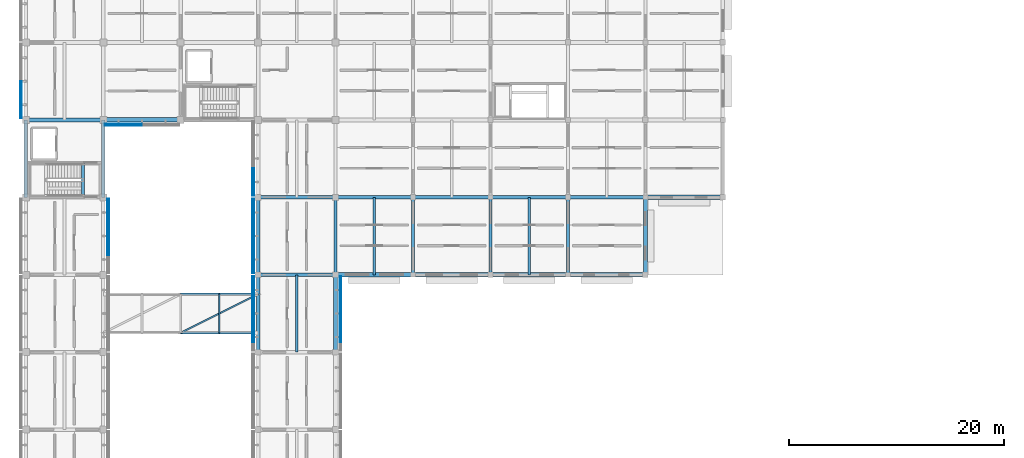
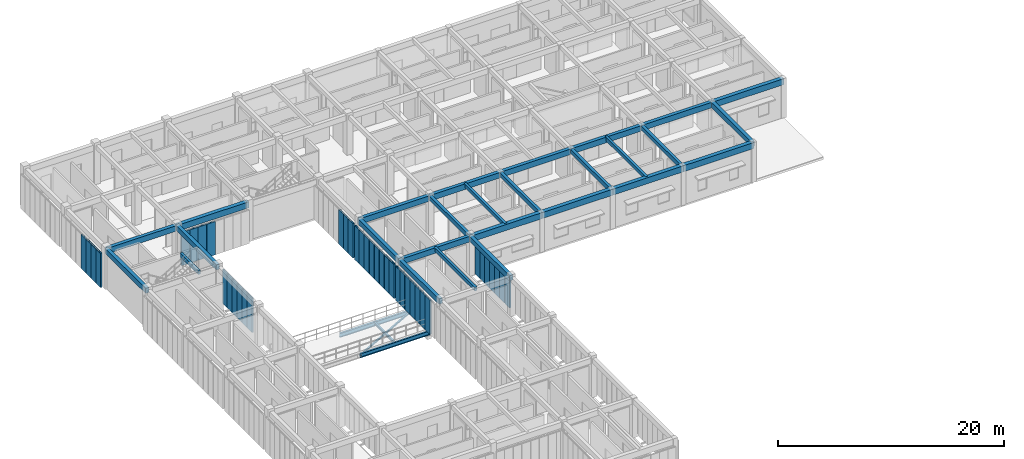
# One storey, part 9 of 91: 40 members, 30 beams, 7 elements without a shape of their own.
"""IFC4 building model written with IfcOpenShell, lengths in metres."""

from ifc_helpers import new_model, si_unit, direction, frame, origin, origin_2d, place, context, subcontext, project, spatial, rectangle, hollow_rectangle, i_section, extrude, material, material_profile, profile_set, type_object, element, aggregate, save


model = new_model("IFC4")

# Units and contexts
model_context = context("Model", 3, precision=1e-05, world=origin(), true_north=direction((0.0, 1.0)))
body_context = subcontext(model_context, "Body", "Model", "MODEL_VIEW")
ifc_project = project(units=[si_unit("LENGTHUNIT", "METRE"), si_unit("AREAUNIT", "SQUARE_METRE"), si_unit("VOLUMEUNIT", "CUBIC_METRE"), si_unit("PLANEANGLEUNIT", "RADIAN"), si_unit("MASSUNIT", "GRAM", prefix="KILO")], contexts=[model_context])

# Site, building, storey
site_placement = place(None, origin())
site = spatial("IfcSite", under=ifc_project, at=site_placement, CompositionType="ELEMENT")
building_placement = place(site_placement, origin())
building = spatial("IfcBuilding", under=site, at=building_placement, Name="Aldebral Square Health Centre", CompositionType="ELEMENT")
storey_placement = place(building_placement, frame((0.0, 0.0, 9.0)))
storey = spatial("IfcBuildingStorey", under=building, at=storey_placement, Name="L02", CompositionType="ELEMENT", Elevation=9.0)

# Beams
ifc_material_1 = material(Name="Concrete C40/50", Category="concrete")
ifc_material_profile_1 = material_profile(ifc_material_1, rectangle(XDim=0.39990234375, YDim=0.64990234375, at=origin_2d()), Name="RC 400x650")
ifc_profile_set_1 = profile_set([ifc_material_profile_1], Name="Concrete C40/50")
beam_type_1 = type_object("IfcBeamType", Name="BM-B1", PredefinedType="BEAM", material=ifc_profile_set_1)
for number, where, z_axis, x_axis, name in (
    (1, (7.199951171875, 100.800048828125, 3.9150390625), (1.0, 0.0, 0.0), (0.0, 1.0, 0.0), "L02 X-beam 2-3/G15"),
    (2, (28.800048828125, 86.39990234375, 3.9150390625), (1.0, 0.0, 0.0), (0.0, 1.0, 0.0), "L02 X-beam 5-6/G13"),
    (3, (36.0, 86.39990234375, 3.9150390625), (1.0, 0.0, 0.0), (0.0, 1.0, 0.0), "L02 X-beam 6-7/G13"),
    (4, (43.199951171875, 86.39990234375, 3.9150390625), (1.0, 0.0, 0.0), (0.0, 1.0, 0.0), "L02 X-beam 7-8/G13"),
):
    element("IfcBeam", number, at=place(storey_placement, frame(where, z_axis=z_axis, x_axis=x_axis)), inside=storey, type_object=beam_type_1, Name=name, PredefinedType="BEAM", context=body_context, shape_type="SweptSolid", body=[
        extrude(rectangle(XDim=0.39990234375, YDim=0.64990234375, at=origin_2d()), origin(), (0.0, 0.0, 1.0), 7.199951171875),
    ])
beam_1_placement = place(storey_placement, frame((50.39990234375, 86.39990234375, 3.9150390625), z_axis=(1.0, 0.0, 0.0), x_axis=(0.0, 1.0, 0.0)))
element("IfcBeam", 5, at=beam_1_placement, inside=storey, type_object=beam_type_1, Name="L02 X-beam 8-9/G13", PredefinedType="BEAM", context=body_context, shape_type="SweptSolid", body=[
    extrude(rectangle(XDim=0.39990234375, YDim=0.64990234375, at=origin_2d()), origin(), (0.0, 0.0, 1.0), 7.2001953125),
])
beam_2_placement = place(storey_placement, frame((57.60009765625, 93.60009765625, 3.9150390625), z_axis=(1.0, 0.0, 0.0), x_axis=(0.0, 1.0, 0.0)))
element("IfcBeam", 6, at=beam_2_placement, inside=storey, type_object=beam_type_1, Name="L02 X-beam 9-10/G14", PredefinedType="BEAM", context=body_context, shape_type="SweptSolid", body=[
    extrude(rectangle(XDim=0.39990234375, YDim=0.64990234375, at=origin_2d()), origin(), (0.0, 0.0, 1.0), 7.199951171875),
])
ifc_material_profile_2 = material_profile(ifc_material_1, rectangle(XDim=0.35009765625, YDim=0.60009765625, at=origin_2d()), Name="RC 350x600")
ifc_profile_set_2 = profile_set([ifc_material_profile_2], Name="Concrete C40/50")
beam_type_2 = type_object("IfcBeamType", Name="BM-B2", PredefinedType="BEAM", material=ifc_profile_set_2)
for number, where, z_axis, x_axis, name in (
    (7, (0.0, 100.800048828125, 3.93994140625), (1.0, 0.0, 0.0), (0.0, 1.0, 0.0), "L02 X-beam 1-2/G15"),
    (8, (21.60009765625, 86.39990234375, 3.93994140625), (1.0, 0.0, 0.0), (0.0, 1.0, 0.0), "L02 X-beam 4-5/G13"),
    (9, (21.60009765625, 93.60009765625, 3.93994140625), (1.0, 0.0, 0.0), (0.0, 1.0, 0.0), "L02 X-beam 4-5/G14"),
    (10, (28.800048828125, 93.60009765625, 3.93994140625), (1.0, 0.0, 0.0), (0.0, 1.0, 0.0), "L02 X-beam 5-6/G14"),
    (11, (36.0, 93.60009765625, 3.93994140625), (1.0, 0.0, 0.0), (0.0, 1.0, 0.0), "L02 X-beam 6-7/G14"),
    (12, (43.199951171875, 93.60009765625, 3.93994140625), (1.0, 0.0, 0.0), (0.0, 1.0, 0.0), "L02 X-beam 7-8/G14"),
):
    element("IfcBeam", number, at=place(storey_placement, frame(where, z_axis=z_axis, x_axis=x_axis)), inside=storey, type_object=beam_type_2, Name=name, PredefinedType="BEAM", context=body_context, shape_type="SweptSolid", body=[
        extrude(rectangle(XDim=0.35009765625, YDim=0.60009765625, at=origin_2d()), origin(), (0.0, 0.0, 1.0), 7.199951171875),
    ])
beam_3_placement = place(storey_placement, frame((50.39990234375, 93.60009765625, 3.93994140625), z_axis=(1.0, 0.0, 0.0), x_axis=(0.0, 1.0, 0.0)))
element("IfcBeam", 13, at=beam_3_placement, inside=storey, type_object=beam_type_2, Name="L02 X-beam 8-9/G14", PredefinedType="BEAM", context=body_context, shape_type="SweptSolid", body=[
    extrude(rectangle(XDim=0.35009765625, YDim=0.60009765625, at=origin_2d()), origin(), (0.0, 0.0, 1.0), 7.2001953125),
])
ifc_material_profile_3 = material_profile(ifc_material_1, rectangle(XDim=0.35009765625, YDim=0.550048828125, at=origin_2d()), Name="RC 350x550")
ifc_profile_set_3 = profile_set([ifc_material_profile_3], Name="Concrete C40/50")
beam_type_3 = type_object("IfcBeamType", Name="BM-B3", PredefinedType="BEAM", material=ifc_profile_set_3)
for number, where, z_axis, x_axis, name in (
    (14, (0.0, 93.60009765625, 3.965087890625), (0.0, 1.0, 0.0), (-1.0, 0.0, 0.0), "L02 Y-beam G1/14-15"),
    (15, (7.199951171875, 93.60009765625, 3.965087890625), (0.0, 1.0, 0.0), (-1.0, 0.0, 0.0), "L02 Y-beam G2/14-15"),
    (16, (21.60009765625, 79.199951171875, 3.965087890625), (0.0, 1.0, 0.0), (-1.0, 0.0, 0.0), "L02 Y-beam G4/12-13"),
):
    element("IfcBeam", number, at=place(storey_placement, frame(where, z_axis=z_axis, x_axis=x_axis)), inside=storey, type_object=beam_type_3, Name=name, PredefinedType="BEAM", context=body_context, shape_type="SweptSolid", body=[
        extrude(rectangle(XDim=0.35009765625, YDim=0.550048828125, at=origin_2d()), origin(), (0.0, 0.0, 1.0), 7.199951171875),
    ])
beam_4_placement = place(storey_placement, frame((21.60009765625, 86.39990234375, 3.965087890625), z_axis=(0.0, 1.0, 0.0), x_axis=(-1.0, 0.0, 0.0)))
element("IfcBeam", 17, at=beam_4_placement, inside=storey, type_object=beam_type_3, Name="L02 Y-beam G4/13-14", PredefinedType="BEAM", context=body_context, shape_type="SweptSolid", body=[
    extrude(rectangle(XDim=0.35009765625, YDim=0.550048828125, at=origin_2d()), origin(), (0.0, 0.0, 1.0), 7.2001953125),
])
beam_5_placement = place(storey_placement, frame((28.800048828125, 79.199951171875, 3.965087890625), z_axis=(0.0, 1.0, 0.0), x_axis=(-1.0, 0.0, 0.0)))
element("IfcBeam", 18, at=beam_5_placement, inside=storey, type_object=beam_type_3, Name="L02 Y-beam G5/12-13", PredefinedType="BEAM", context=body_context, shape_type="SweptSolid", body=[
    extrude(rectangle(XDim=0.35009765625, YDim=0.550048828125, at=origin_2d()), origin(), (0.0, 0.0, 1.0), 7.199951171875),
])
beam_6_placement = place(storey_placement, frame((57.60009765625, 86.39990234375, 3.965087890625), z_axis=(0.0, 1.0, 0.0), x_axis=(-1.0, 0.0, 0.0)))
element("IfcBeam", 19, at=beam_6_placement, inside=storey, type_object=beam_type_3, Name="L02 Y-beam G9/13-14", PredefinedType="BEAM", context=body_context, shape_type="SweptSolid", body=[
    extrude(rectangle(XDim=0.35009765625, YDim=0.550048828125, at=origin_2d()), origin(), (0.0, 0.0, 1.0), 7.2001953125),
])
ifc_material_profile_4 = material_profile(ifc_material_1, rectangle(XDim=0.300048828125, YDim=0.449951171875, at=origin_2d()), Name="RC 300x450")
ifc_profile_set_4 = profile_set([ifc_material_profile_4], Name="Concrete C40/50")
beam_type_4 = type_object("IfcBeamType", Name="BM-B5", PredefinedType="BEAM", material=ifc_profile_set_4)
for number, where, z_axis, x_axis, name in (
    (20, (28.800048828125, 86.39990234375, 4.014892578125), (0.0, 1.0, 0.0), (-1.0, 0.0, 0.0), "L02 Y-beam G5/13-14"),
    (21, (36.0, 86.39990234375, 4.014892578125), (0.0, 1.0, 0.0), (-1.0, 0.0, 0.0), "L02 Y-beam G6/13-14"),
    (22, (43.199951171875, 86.39990234375, 4.014892578125), (0.0, 1.0, 0.0), (-1.0, 0.0, 0.0), "L02 Y-beam G7/13-14"),
    (23, (50.39990234375, 86.39990234375, 4.014892578125), (0.0, 1.0, 0.0), (-1.0, 0.0, 0.0), "L02 Y-beam G8/13-14"),
):
    element("IfcBeam", number, at=place(storey_placement, frame(where, z_axis=z_axis, x_axis=x_axis)), inside=storey, type_object=beam_type_4, Name=name, PredefinedType="BEAM", context=body_context, shape_type="SweptSolid", body=[
        extrude(rectangle(XDim=0.300048828125, YDim=0.449951171875, at=origin_2d()), origin(), (0.0, 0.0, 1.0), 7.2001953125),
    ])
ifc_material_profile_5 = material_profile(ifc_material_1, rectangle(XDim=0.25, YDim=0.39990234375, at=origin_2d()), Name="RC 250x400")
ifc_profile_set_5 = profile_set([ifc_material_profile_5], Name="Concrete C40/50")
beam_type_5 = type_object("IfcBeamType", Name="BM-B6", PredefinedType="JOIST", material=ifc_profile_set_5)
beam_7_placement = place(storey_placement, frame((25.199951171875, 79.199951171875, 4.0400390625), z_axis=(0.0, 1.0, 0.0), x_axis=(-1.0, 0.0, 0.0)))
element("IfcBeam", 24, at=beam_7_placement, inside=storey, type_object=beam_type_5, Name="L02 secondary rib 4.12", PredefinedType="JOIST", context=body_context, shape_type="SweptSolid", body=[
    extrude(rectangle(XDim=0.25, YDim=0.39990234375, at=origin_2d()), origin(), (0.0, 0.0, 1.0), 7.199951171875),
])
for number, where, z_axis, x_axis, name in (
    (25, (32.39990234375, 86.39990234375, 4.0400390625), (0.0, 1.0, 0.0), (-1.0, 0.0, 0.0), "L02 secondary rib 5.13"),
    (26, (46.800048828125, 86.39990234375, 4.0400390625), (0.0, 1.0, 0.0), (-1.0, 0.0, 0.0), "L02 secondary rib 7.13"),
):
    element("IfcBeam", number, at=place(storey_placement, frame(where, z_axis=z_axis, x_axis=x_axis)), inside=storey, type_object=beam_type_5, Name=name, PredefinedType="JOIST", context=body_context, shape_type="SweptSolid", body=[
        extrude(rectangle(XDim=0.25, YDim=0.39990234375, at=origin_2d()), origin(), (0.0, 0.0, 1.0), 7.2001953125),
    ])
beam_8_placement = place(storey_placement, frame((5.320068359375, 93.610107421875, 4.0400390625), z_axis=(0.0, 1.0, 0.0), x_axis=(-1.0, 0.0, 0.0)))
element("IfcBeam", 27, at=beam_8_placement, inside=storey, type_object=beam_type_5, Name="L02 WC-C1 upper landing beam", PredefinedType="JOIST", context=body_context, shape_type="SweptSolid", body=[
    extrude(rectangle(XDim=0.25, YDim=0.39990234375, at=origin_2d()), origin(), (0.0, 0.0, 1.0), 3.219970703125),
])
ifc_material_2 = material(Name="Steel S355JR", Category="steel")
ifc_material_profile_6 = material_profile(ifc_material_2, i_section(OverallWidth=0.18994140625, OverallDepth=0.449951171875, WebThickness=0.009521484375, FlangeThickness=0.0146484375, FilletRadius=0.02099609375, at=origin_2d()), Name="IPE 450")
ifc_profile_set_6 = profile_set([ifc_material_profile_6], Name="Steel S355JR")
beam_type_6 = type_object("IfcBeamType", Name="BM-ST1", PredefinedType="T_BEAM", material=ifc_profile_set_6)
for number, where, z_axis, x_axis, name in (
    (28, (14.39990234375, 81.0, -0.445068359375), (1.0, 0.0, 0.0), (0.0, 1.0, 0.0), "West Light Court Bridge L02 edge girder 1.2"),
    (29, (14.39990234375, 84.60009765625, -0.445068359375), (1.0, 0.0, 0.0), (0.0, 1.0, 0.0), "West Light Court Bridge L02 edge girder 2.2"),
):
    element("IfcBeam", number, at=place(storey_placement, frame(where, z_axis=z_axis, x_axis=x_axis)), inside=storey, type_object=beam_type_6, Name=name, PredefinedType="T_BEAM", context=body_context, shape_type="SweptSolid", body=[
        extrude(i_section(OverallWidth=0.18994140625, OverallDepth=0.449951171875, WebThickness=0.009521484375, FlangeThickness=0.0146484375, FilletRadius=0.02099609375, at=origin_2d()), origin(), (0.0, 0.0, 1.0), 7.2001953125),
    ])
ifc_material_profile_7 = material_profile(ifc_material_2, i_section(OverallWidth=0.14990234375, OverallDepth=0.300048828125, WebThickness=0.007080078125, FlangeThickness=0.0107421875, FilletRadius=0.014892578125, at=origin_2d()), Name="IPE 300")
ifc_profile_set_7 = profile_set([ifc_material_profile_7], Name="Steel S355JR")
beam_type_7 = type_object("IfcBeamType", Name="BM-ST4", PredefinedType="BEAM", material=ifc_profile_set_7)
beam_9_placement = place(storey_placement, frame((18.0, 81.0, -0.3701171875), z_axis=(0.0, 1.0, 0.0), x_axis=(-1.0, 0.0, 0.0)))
element("IfcBeam", 30, at=beam_9_placement, inside=storey, type_object=beam_type_7, Name="West Light Court Bridge L02 cross beam 4", PredefinedType="BEAM", context=body_context, shape_type="SweptSolid", body=[
    extrude(i_section(OverallWidth=0.14990234375, OverallDepth=0.300048828125, WebThickness=0.007080078125, FlangeThickness=0.0107421875, FilletRadius=0.014892578125, at=origin_2d()), origin(), (0.0, 0.0, 1.0), 3.60009765625),
])

# Curtain wall, members
ifc_material_3 = material(Name="Aluminium and low-E solar glass", Category="aluminium")
curtain_wall_type = type_object("IfcCurtainWallType", Name="CW-FIN-SYS", PredefinedType="USERDEFINED", material=ifc_material_3)
curtain_wall_1_placement = place(storey_placement, origin())
curtain_wall_1 = element("IfcCurtainWall", 31, at=curtain_wall_1_placement, inside=storey, type_object=curtain_wall_type, Name="L02 V4 finned curtain wall L02-V4-00-12-E", ObjectType="SOLAR_CURTAIN_WALL", PredefinedType="USERDEFINED")
ifc_material_4 = material(Name="Sienna-terracotta clad aluminium fin", Category="masonry")
ifc_material_profile_8 = material_profile(ifc_material_4, hollow_rectangle(XDim=0.159912109375, YDim=0.85009765625, WallThickness=0.006103515625, at=origin_2d()), Name="FIN 160x850x6")
ifc_profile_set_8 = profile_set([ifc_material_profile_8], Name="Sienna-terracotta clad aluminium fin")
member_type_1 = type_object("IfcMemberType", Name="CWM-FIN", PredefinedType="MULLION", material=ifc_profile_set_8)
member_1_placement = place(storey_placement, frame((7.659912109375, 88.662841796875, 0.0), z_axis=(0.0, 0.0, 1.0), x_axis=(-1.0, 0.0, 0.0)))
member_1 = element("IfcMember", 32, at=member_1_placement, type_object=member_type_1, Name="CW1 mullion 3", PredefinedType="MULLION", context=body_context, shape_type="SweptSolid", body=[
    extrude(hollow_rectangle(XDim=0.159912109375, YDim=0.85009765625, WallThickness=0.006103515625, at=origin_2d()), origin(), (0.0, 0.0, 1.0), 3.68994140625),
])
member_2_placement = place(storey_placement, frame((7.659912109375, 89.55419921875, 0.0), z_axis=(0.0, 0.0, 1.0), x_axis=(-1.0, 0.0, 0.0)))
member_2 = element("IfcMember", 33, at=member_2_placement, type_object=member_type_1, Name="CW1 mullion 4", PredefinedType="MULLION", context=body_context, shape_type="SweptSolid", body=[
    extrude(hollow_rectangle(XDim=0.159912109375, YDim=0.85009765625, WallThickness=0.006103515625, at=origin_2d()), origin(), (0.0, 0.0, 1.0), 3.68994140625),
])
member_3_placement = place(storey_placement, frame((7.659912109375, 90.44580078125, 0.0), z_axis=(0.0, 0.0, 1.0), x_axis=(-1.0, 0.0, 0.0)))
member_3 = element("IfcMember", 34, at=member_3_placement, type_object=member_type_1, Name="CW1 mullion 5", PredefinedType="MULLION", context=body_context, shape_type="SweptSolid", body=[
    extrude(hollow_rectangle(XDim=0.159912109375, YDim=0.85009765625, WallThickness=0.006103515625, at=origin_2d()), origin(), (0.0, 0.0, 1.0), 3.68994140625),
])
member_4_placement = place(storey_placement, frame((7.659912109375, 91.337158203125, 0.0), z_axis=(0.0, 0.0, 1.0), x_axis=(-1.0, 0.0, 0.0)))
member_4 = element("IfcMember", 35, at=member_4_placement, type_object=member_type_1, Name="CW1 mullion 6", PredefinedType="MULLION", context=body_context, shape_type="SweptSolid", body=[
    extrude(hollow_rectangle(XDim=0.159912109375, YDim=0.85009765625, WallThickness=0.006103515625, at=origin_2d()), origin(), (0.0, 0.0, 1.0), 3.68994140625),
])
member_5_placement = place(storey_placement, frame((7.659912109375, 92.228515625, 0.0), z_axis=(0.0, 0.0, 1.0), x_axis=(-1.0, 0.0, 0.0)))
member_5 = element("IfcMember", 36, at=member_5_placement, type_object=member_type_1, Name="CW1 mullion 7", PredefinedType="MULLION", context=body_context, shape_type="SweptSolid", body=[
    extrude(hollow_rectangle(XDim=0.159912109375, YDim=0.85009765625, WallThickness=0.006103515625, at=origin_2d()), origin(), (0.0, 0.0, 1.0), 3.68994140625),
])
member_6_placement = place(storey_placement, frame((7.659912109375, 93.0400390625, 0.0), z_axis=(0.0, 0.0, 1.0), x_axis=(-1.0, 0.0, 0.0)))
member_6 = element("IfcMember", 37, at=member_6_placement, type_object=member_type_1, Name="CW1 mullion 8", PredefinedType="MULLION", context=body_context, shape_type="SweptSolid", body=[
    extrude(hollow_rectangle(XDim=0.159912109375, YDim=0.85009765625, WallThickness=0.006103515625, at=origin_2d()), origin(), (0.0, 0.0, 1.0), 3.68994140625),
])
aggregate(curtain_wall_1, [member_1, member_2, member_3, member_4, member_5, member_6])

curtain_wall_2_placement = place(storey_placement, origin())
curtain_wall_2 = element("IfcCurtainWall", 38, at=curtain_wall_2_placement, inside=storey, type_object=curtain_wall_type, Name="L02 V4 finned curtain wall L02-V4-00-14-W", ObjectType="SOLAR_CURTAIN_WALL", PredefinedType="USERDEFINED")
member_7_placement = place(storey_placement, frame((-0.4599609375, 103.954345703125, 0.0), z_axis=(0.0, 0.0, 1.0), x_axis=(1.0, 0.0, 0.0)))
member_7 = element("IfcMember", 39, at=member_7_placement, type_object=member_type_1, Name="CW1 mullion 5", PredefinedType="MULLION", context=body_context, shape_type="SweptSolid", body=[
    extrude(hollow_rectangle(XDim=0.159912109375, YDim=0.85009765625, WallThickness=0.006103515625, at=origin_2d()), origin(), (0.0, 0.0, 1.0), 3.68994140625),
])
member_8_placement = place(storey_placement, frame((-0.4599609375, 103.062744140625, 0.0), z_axis=(0.0, 0.0, 1.0), x_axis=(1.0, 0.0, 0.0)))
member_8 = element("IfcMember", 40, at=member_8_placement, type_object=member_type_1, Name="CW1 mullion 6", PredefinedType="MULLION", context=body_context, shape_type="SweptSolid", body=[
    extrude(hollow_rectangle(XDim=0.159912109375, YDim=0.85009765625, WallThickness=0.006103515625, at=origin_2d()), origin(), (0.0, 0.0, 1.0), 3.68994140625),
])
member_9_placement = place(storey_placement, frame((-0.4599609375, 102.17138671875, 0.0), z_axis=(0.0, 0.0, 1.0), x_axis=(1.0, 0.0, 0.0)))
member_9 = element("IfcMember", 41, at=member_9_placement, type_object=member_type_1, Name="CW1 mullion 7", PredefinedType="MULLION", context=body_context, shape_type="SweptSolid", body=[
    extrude(hollow_rectangle(XDim=0.159912109375, YDim=0.85009765625, WallThickness=0.006103515625, at=origin_2d()), origin(), (0.0, 0.0, 1.0), 3.68994140625),
])
member_10_placement = place(storey_placement, frame((-0.4599609375, 101.360107421875, 0.0), z_axis=(0.0, 0.0, 1.0), x_axis=(1.0, 0.0, 0.0)))
member_10 = element("IfcMember", 42, at=member_10_placement, type_object=member_type_1, Name="CW1 mullion 8", PredefinedType="MULLION", context=body_context, shape_type="SweptSolid", body=[
    extrude(hollow_rectangle(XDim=0.159912109375, YDim=0.85009765625, WallThickness=0.006103515625, at=origin_2d()), origin(), (0.0, 0.0, 1.0), 3.68994140625),
])
aggregate(curtain_wall_2, [member_7, member_8, member_9, member_10])

curtain_wall_3_placement = place(storey_placement, origin())
curtain_wall_3 = element("IfcCurtainWall", 43, at=curtain_wall_3_placement, inside=storey, type_object=curtain_wall_type, Name="L02 V4 finned curtain wall L02-V4-01-14-S", ObjectType="SOLAR_CURTAIN_WALL", PredefinedType="USERDEFINED")
member_11_placement = place(storey_placement, frame((7.760009765625, 100.340087890625, 0.0), z_axis=(0.0, 0.0, 1.0), x_axis=(0.0, 1.0, 0.0)))
member_11 = element("IfcMember", 44, at=member_11_placement, type_object=member_type_1, Name="CW1 mullion 1", PredefinedType="MULLION", context=body_context, shape_type="SweptSolid", body=[
    extrude(hollow_rectangle(XDim=0.159912109375, YDim=0.85009765625, WallThickness=0.006103515625, at=origin_2d()), origin(), (0.0, 0.0, 1.0), 3.590087890625),
])
member_12_placement = place(storey_placement, frame((8.571533203125, 100.340087890625, 0.0), z_axis=(0.0, 0.0, 1.0), x_axis=(0.0, 1.0, 0.0)))
member_12 = element("IfcMember", 45, at=member_12_placement, type_object=member_type_1, Name="CW1 mullion 2", PredefinedType="MULLION", context=body_context, shape_type="SweptSolid", body=[
    extrude(hollow_rectangle(XDim=0.159912109375, YDim=0.85009765625, WallThickness=0.006103515625, at=origin_2d()), origin(), (0.0, 0.0, 1.0), 3.590087890625),
])
member_13_placement = place(storey_placement, frame((9.462890625, 100.340087890625, 0.0), z_axis=(0.0, 0.0, 1.0), x_axis=(0.0, 1.0, 0.0)))
member_13 = element("IfcMember", 46, at=member_13_placement, type_object=member_type_1, Name="CW1 mullion 3", PredefinedType="MULLION", context=body_context, shape_type="SweptSolid", body=[
    extrude(hollow_rectangle(XDim=0.159912109375, YDim=0.85009765625, WallThickness=0.006103515625, at=origin_2d()), origin(), (0.0, 0.0, 1.0), 3.590087890625),
])
member_14_placement = place(storey_placement, frame((10.354248046875, 100.340087890625, 0.0), z_axis=(0.0, 0.0, 1.0), x_axis=(0.0, 1.0, 0.0)))
member_14 = element("IfcMember", 47, at=member_14_placement, type_object=member_type_1, Name="CW1 mullion 4", PredefinedType="MULLION", context=body_context, shape_type="SweptSolid", body=[
    extrude(hollow_rectangle(XDim=0.159912109375, YDim=0.85009765625, WallThickness=0.006103515625, at=origin_2d()), origin(), (0.0, 0.0, 1.0), 3.590087890625),
])
aggregate(curtain_wall_3, [member_11, member_12, member_13, member_14])

curtain_wall_4_placement = place(storey_placement, origin())
curtain_wall_4 = element("IfcCurtainWall", 48, at=curtain_wall_4_placement, inside=storey, type_object=curtain_wall_type, Name="L02 V4 finned curtain wall L02-V4-03-11-W", ObjectType="SOLAR_CURTAIN_WALL", PredefinedType="USERDEFINED")
member_15_placement = place(storey_placement, frame((21.139892578125, 85.840087890625, 0.0), z_axis=(0.0, 0.0, 1.0), x_axis=(1.0, 0.0, 0.0)))
member_15 = element("IfcMember", 49, at=member_15_placement, type_object=member_type_1, Name="CW1 mullion 1", PredefinedType="MULLION", context=body_context, shape_type="SweptSolid", body=[
    extrude(hollow_rectangle(XDim=0.159912109375, YDim=0.85009765625, WallThickness=0.006103515625, at=origin_2d()), origin(), (0.0, 0.0, 1.0), 3.68994140625),
])
member_16_placement = place(storey_placement, frame((21.139892578125, 85.028564453125, 0.0), z_axis=(0.0, 0.0, 1.0), x_axis=(1.0, 0.0, 0.0)))
member_16 = element("IfcMember", 50, at=member_16_placement, type_object=member_type_1, Name="CW1 mullion 2", PredefinedType="MULLION", context=body_context, shape_type="SweptSolid", body=[
    extrude(hollow_rectangle(XDim=0.159912109375, YDim=0.85009765625, WallThickness=0.006103515625, at=origin_2d()), origin(), (0.0, 0.0, 1.0), 3.68994140625),
])
member_17_placement = place(storey_placement, frame((21.139892578125, 84.13720703125, 0.0), z_axis=(0.0, 0.0, 1.0), x_axis=(1.0, 0.0, 0.0)))
member_17 = element("IfcMember", 51, at=member_17_placement, type_object=member_type_1, Name="CW1 mullion 3", PredefinedType="MULLION", context=body_context, shape_type="SweptSolid", body=[
    extrude(hollow_rectangle(XDim=0.159912109375, YDim=0.85009765625, WallThickness=0.006103515625, at=origin_2d()), origin(), (0.0, 0.0, 1.0), 3.68994140625),
])
member_18_placement = place(storey_placement, frame((21.139892578125, 83.24560546875, 0.0), z_axis=(0.0, 0.0, 1.0), x_axis=(1.0, 0.0, 0.0)))
member_18 = element("IfcMember", 52, at=member_18_placement, type_object=member_type_1, Name="CW1 mullion 4", PredefinedType="MULLION", context=body_context, shape_type="SweptSolid", body=[
    extrude(hollow_rectangle(XDim=0.159912109375, YDim=0.85009765625, WallThickness=0.006103515625, at=origin_2d()), origin(), (0.0, 0.0, 1.0), 3.68994140625),
])
member_19_placement = place(storey_placement, frame((21.139892578125, 82.354248046875, 0.0), z_axis=(0.0, 0.0, 1.0), x_axis=(1.0, 0.0, 0.0)))
member_19 = element("IfcMember", 53, at=member_19_placement, type_object=member_type_1, Name="CW1 mullion 5", PredefinedType="MULLION", context=body_context, shape_type="SweptSolid", body=[
    extrude(hollow_rectangle(XDim=0.159912109375, YDim=0.85009765625, WallThickness=0.006103515625, at=origin_2d()), origin(), (0.0, 0.0, 1.0), 3.68994140625),
])
member_20_placement = place(storey_placement, frame((21.139892578125, 81.462890625, 0.0), z_axis=(0.0, 0.0, 1.0), x_axis=(1.0, 0.0, 0.0)))
member_20 = element("IfcMember", 54, at=member_20_placement, type_object=member_type_1, Name="CW1 mullion 6", PredefinedType="MULLION", context=body_context, shape_type="SweptSolid", body=[
    extrude(hollow_rectangle(XDim=0.159912109375, YDim=0.85009765625, WallThickness=0.006103515625, at=origin_2d()), origin(), (0.0, 0.0, 1.0), 3.68994140625),
])
member_21_placement = place(storey_placement, frame((21.139892578125, 80.571533203125, 0.0), z_axis=(0.0, 0.0, 1.0), x_axis=(1.0, 0.0, 0.0)))
member_21 = element("IfcMember", 55, at=member_21_placement, type_object=member_type_1, Name="CW1 mullion 7", PredefinedType="MULLION", context=body_context, shape_type="SweptSolid", body=[
    extrude(hollow_rectangle(XDim=0.159912109375, YDim=0.85009765625, WallThickness=0.006103515625, at=origin_2d()), origin(), (0.0, 0.0, 1.0), 3.68994140625),
])
aggregate(curtain_wall_4, [member_15, member_16, member_17, member_18, member_19, member_20, member_21])

curtain_wall_5_placement = place(storey_placement, origin())
curtain_wall_5 = element("IfcCurtainWall", 56, at=curtain_wall_5_placement, inside=storey, type_object=curtain_wall_type, Name="L02 V4 finned curtain wall L02-V4-03-11-E", ObjectType="SOLAR_CURTAIN_WALL", PredefinedType="USERDEFINED")
member_22_placement = place(storey_placement, frame((29.260009765625, 80.571533203125, 0.0), z_axis=(0.0, 0.0, 1.0), x_axis=(-1.0, 0.0, 0.0)))
member_22 = element("IfcMember", 57, at=member_22_placement, type_object=member_type_1, Name="CW1 mullion 2", PredefinedType="MULLION", context=body_context, shape_type="SweptSolid", body=[
    extrude(hollow_rectangle(XDim=0.159912109375, YDim=0.85009765625, WallThickness=0.006103515625, at=origin_2d()), origin(), (0.0, 0.0, 1.0), 3.68994140625),
])
member_23_placement = place(storey_placement, frame((29.260009765625, 81.462890625, 0.0), z_axis=(0.0, 0.0, 1.0), x_axis=(-1.0, 0.0, 0.0)))
member_23 = element("IfcMember", 58, at=member_23_placement, type_object=member_type_1, Name="CW1 mullion 3", PredefinedType="MULLION", context=body_context, shape_type="SweptSolid", body=[
    extrude(hollow_rectangle(XDim=0.159912109375, YDim=0.85009765625, WallThickness=0.006103515625, at=origin_2d()), origin(), (0.0, 0.0, 1.0), 3.68994140625),
])
member_24_placement = place(storey_placement, frame((29.260009765625, 82.354248046875, 0.0), z_axis=(0.0, 0.0, 1.0), x_axis=(-1.0, 0.0, 0.0)))
member_24 = element("IfcMember", 59, at=member_24_placement, type_object=member_type_1, Name="CW1 mullion 4", PredefinedType="MULLION", context=body_context, shape_type="SweptSolid", body=[
    extrude(hollow_rectangle(XDim=0.159912109375, YDim=0.85009765625, WallThickness=0.006103515625, at=origin_2d()), origin(), (0.0, 0.0, 1.0), 3.68994140625),
])
member_25_placement = place(storey_placement, frame((29.260009765625, 83.24560546875, 0.0), z_axis=(0.0, 0.0, 1.0), x_axis=(-1.0, 0.0, 0.0)))
member_25 = element("IfcMember", 60, at=member_25_placement, type_object=member_type_1, Name="CW1 mullion 5", PredefinedType="MULLION", context=body_context, shape_type="SweptSolid", body=[
    extrude(hollow_rectangle(XDim=0.159912109375, YDim=0.85009765625, WallThickness=0.006103515625, at=origin_2d()), origin(), (0.0, 0.0, 1.0), 3.68994140625),
])
member_26_placement = place(storey_placement, frame((29.260009765625, 84.13720703125, 0.0), z_axis=(0.0, 0.0, 1.0), x_axis=(-1.0, 0.0, 0.0)))
member_26 = element("IfcMember", 61, at=member_26_placement, type_object=member_type_1, Name="CW1 mullion 6", PredefinedType="MULLION", context=body_context, shape_type="SweptSolid", body=[
    extrude(hollow_rectangle(XDim=0.159912109375, YDim=0.85009765625, WallThickness=0.006103515625, at=origin_2d()), origin(), (0.0, 0.0, 1.0), 3.68994140625),
])
member_27_placement = place(storey_placement, frame((29.260009765625, 85.028564453125, 0.0), z_axis=(0.0, 0.0, 1.0), x_axis=(-1.0, 0.0, 0.0)))
member_27 = element("IfcMember", 62, at=member_27_placement, type_object=member_type_1, Name="CW1 mullion 7", PredefinedType="MULLION", context=body_context, shape_type="SweptSolid", body=[
    extrude(hollow_rectangle(XDim=0.159912109375, YDim=0.85009765625, WallThickness=0.006103515625, at=origin_2d()), origin(), (0.0, 0.0, 1.0), 3.68994140625),
])
member_28_placement = place(storey_placement, frame((29.260009765625, 85.840087890625, 0.0), z_axis=(0.0, 0.0, 1.0), x_axis=(-1.0, 0.0, 0.0)))
member_28 = element("IfcMember", 63, at=member_28_placement, type_object=member_type_1, Name="CW1 mullion 8", PredefinedType="MULLION", context=body_context, shape_type="SweptSolid", body=[
    extrude(hollow_rectangle(XDim=0.159912109375, YDim=0.85009765625, WallThickness=0.006103515625, at=origin_2d()), origin(), (0.0, 0.0, 1.0), 3.68994140625),
])
aggregate(curtain_wall_5, [member_22, member_23, member_24, member_25, member_26, member_27, member_28])

curtain_wall_6_placement = place(storey_placement, origin())
curtain_wall_6 = element("IfcCurtainWall", 64, at=curtain_wall_6_placement, inside=storey, type_object=curtain_wall_type, Name="L02 V4 finned curtain wall L02-V4-03-12-W", ObjectType="SOLAR_CURTAIN_WALL", PredefinedType="USERDEFINED")
member_29_placement = place(storey_placement, frame((21.139892578125, 93.0400390625, 0.0), z_axis=(0.0, 0.0, 1.0), x_axis=(1.0, 0.0, 0.0)))
member_29 = element("IfcMember", 65, at=member_29_placement, type_object=member_type_1, Name="CW1 mullion 1", PredefinedType="MULLION", context=body_context, shape_type="SweptSolid", body=[
    extrude(hollow_rectangle(XDim=0.159912109375, YDim=0.85009765625, WallThickness=0.006103515625, at=origin_2d()), origin(), (0.0, 0.0, 1.0), 3.68994140625),
])
member_30_placement = place(storey_placement, frame((21.139892578125, 92.228515625, 0.0), z_axis=(0.0, 0.0, 1.0), x_axis=(1.0, 0.0, 0.0)))
member_30 = element("IfcMember", 66, at=member_30_placement, type_object=member_type_1, Name="CW1 mullion 2", PredefinedType="MULLION", context=body_context, shape_type="SweptSolid", body=[
    extrude(hollow_rectangle(XDim=0.159912109375, YDim=0.85009765625, WallThickness=0.006103515625, at=origin_2d()), origin(), (0.0, 0.0, 1.0), 3.68994140625),
])
member_31_placement = place(storey_placement, frame((21.139892578125, 91.337158203125, 0.0), z_axis=(0.0, 0.0, 1.0), x_axis=(1.0, 0.0, 0.0)))
member_31 = element("IfcMember", 67, at=member_31_placement, type_object=member_type_1, Name="CW1 mullion 3", PredefinedType="MULLION", context=body_context, shape_type="SweptSolid", body=[
    extrude(hollow_rectangle(XDim=0.159912109375, YDim=0.85009765625, WallThickness=0.006103515625, at=origin_2d()), origin(), (0.0, 0.0, 1.0), 3.68994140625),
])
member_32_placement = place(storey_placement, frame((21.139892578125, 90.44580078125, 0.0), z_axis=(0.0, 0.0, 1.0), x_axis=(1.0, 0.0, 0.0)))
member_32 = element("IfcMember", 68, at=member_32_placement, type_object=member_type_1, Name="CW1 mullion 4", PredefinedType="MULLION", context=body_context, shape_type="SweptSolid", body=[
    extrude(hollow_rectangle(XDim=0.159912109375, YDim=0.85009765625, WallThickness=0.006103515625, at=origin_2d()), origin(), (0.0, 0.0, 1.0), 3.68994140625),
])
member_33_placement = place(storey_placement, frame((21.139892578125, 89.55419921875, 0.0), z_axis=(0.0, 0.0, 1.0), x_axis=(1.0, 0.0, 0.0)))
member_33 = element("IfcMember", 69, at=member_33_placement, type_object=member_type_1, Name="CW1 mullion 5", PredefinedType="MULLION", context=body_context, shape_type="SweptSolid", body=[
    extrude(hollow_rectangle(XDim=0.159912109375, YDim=0.85009765625, WallThickness=0.006103515625, at=origin_2d()), origin(), (0.0, 0.0, 1.0), 3.68994140625),
])
member_34_placement = place(storey_placement, frame((21.139892578125, 88.662841796875, 0.0), z_axis=(0.0, 0.0, 1.0), x_axis=(1.0, 0.0, 0.0)))
member_34 = element("IfcMember", 70, at=member_34_placement, type_object=member_type_1, Name="CW1 mullion 6", PredefinedType="MULLION", context=body_context, shape_type="SweptSolid", body=[
    extrude(hollow_rectangle(XDim=0.159912109375, YDim=0.85009765625, WallThickness=0.006103515625, at=origin_2d()), origin(), (0.0, 0.0, 1.0), 3.68994140625),
])
member_35_placement = place(storey_placement, frame((21.139892578125, 87.771484375, 0.0), z_axis=(0.0, 0.0, 1.0), x_axis=(1.0, 0.0, 0.0)))
member_35 = element("IfcMember", 71, at=member_35_placement, type_object=member_type_1, Name="CW1 mullion 7", PredefinedType="MULLION", context=body_context, shape_type="SweptSolid", body=[
    extrude(hollow_rectangle(XDim=0.159912109375, YDim=0.85009765625, WallThickness=0.006103515625, at=origin_2d()), origin(), (0.0, 0.0, 1.0), 3.68994140625),
])
member_36_placement = place(storey_placement, frame((21.139892578125, 86.9599609375, 0.0), z_axis=(0.0, 0.0, 1.0), x_axis=(1.0, 0.0, 0.0)))
member_36 = element("IfcMember", 72, at=member_36_placement, type_object=member_type_1, Name="CW1 mullion 8", PredefinedType="MULLION", context=body_context, shape_type="SweptSolid", body=[
    extrude(hollow_rectangle(XDim=0.159912109375, YDim=0.85009765625, WallThickness=0.006103515625, at=origin_2d()), origin(), (0.0, 0.0, 1.0), 3.68994140625),
])
aggregate(curtain_wall_6, [member_29, member_30, member_31, member_32, member_33, member_34, member_35, member_36])

curtain_wall_7_placement = place(storey_placement, origin())
curtain_wall_7 = element("IfcCurtainWall", 73, at=curtain_wall_7_placement, inside=storey, type_object=curtain_wall_type, Name="L02 V4 finned curtain wall L02-V4-03-13-W", ObjectType="SOLAR_CURTAIN_WALL", PredefinedType="USERDEFINED")
member_37_placement = place(storey_placement, frame((21.139892578125, 95.86279296875, 0.0), z_axis=(0.0, 0.0, 1.0), x_axis=(1.0, 0.0, 0.0)))
member_37 = element("IfcMember", 74, at=member_37_placement, type_object=member_type_1, Name="CW1 mullion 6", PredefinedType="MULLION", context=body_context, shape_type="SweptSolid", body=[
    extrude(hollow_rectangle(XDim=0.159912109375, YDim=0.85009765625, WallThickness=0.006103515625, at=origin_2d()), origin(), (0.0, 0.0, 1.0), 3.68994140625),
])
member_38_placement = place(storey_placement, frame((21.139892578125, 94.971435546875, 0.0), z_axis=(0.0, 0.0, 1.0), x_axis=(1.0, 0.0, 0.0)))
member_38 = element("IfcMember", 75, at=member_38_placement, type_object=member_type_1, Name="CW1 mullion 7", PredefinedType="MULLION", context=body_context, shape_type="SweptSolid", body=[
    extrude(hollow_rectangle(XDim=0.159912109375, YDim=0.85009765625, WallThickness=0.006103515625, at=origin_2d()), origin(), (0.0, 0.0, 1.0), 3.68994140625),
])
member_39_placement = place(storey_placement, frame((21.139892578125, 94.159912109375, 0.0), z_axis=(0.0, 0.0, 1.0), x_axis=(1.0, 0.0, 0.0)))
member_39 = element("IfcMember", 76, at=member_39_placement, type_object=member_type_1, Name="CW1 mullion 8", PredefinedType="MULLION", context=body_context, shape_type="SweptSolid", body=[
    extrude(hollow_rectangle(XDim=0.159912109375, YDim=0.85009765625, WallThickness=0.006103515625, at=origin_2d()), origin(), (0.0, 0.0, 1.0), 3.68994140625),
])
aggregate(curtain_wall_7, [member_37, member_38, member_39])

# Member
ifc_material_profile_9 = material_profile(ifc_material_2, hollow_rectangle(XDim=0.14990234375, YDim=0.14990234375, WallThickness=0.008056640625, at=origin_2d()), Name="150x150x8 SHS")
ifc_profile_set_9 = profile_set([ifc_material_profile_9], Name="Steel S355JR")
member_type_2 = type_object("IfcMemberType", Name="MEM-BR2", PredefinedType="BRACE", material=ifc_profile_set_9)
member_40_placement = place(storey_placement, frame((14.39990234375, 81.0, -0.445068359375), z_axis=(0.894427191, 0.4472135955, 0.0), x_axis=(-0.4472135955, 0.894427191, 0.0)))
element("IfcMember", 77, at=member_40_placement, inside=storey, type_object=member_type_2, Name="West Light Court Bridge L02 plan brace 2", PredefinedType="BRACE", context=body_context, shape_type="SweptSolid", body=[
    extrude(hollow_rectangle(XDim=0.14990234375, YDim=0.14990234375, WallThickness=0.008056640625, at=origin_2d()), origin(), (0.0, 0.0, 1.0), 8.050048828125),
])

save(model, "model.ifc")
